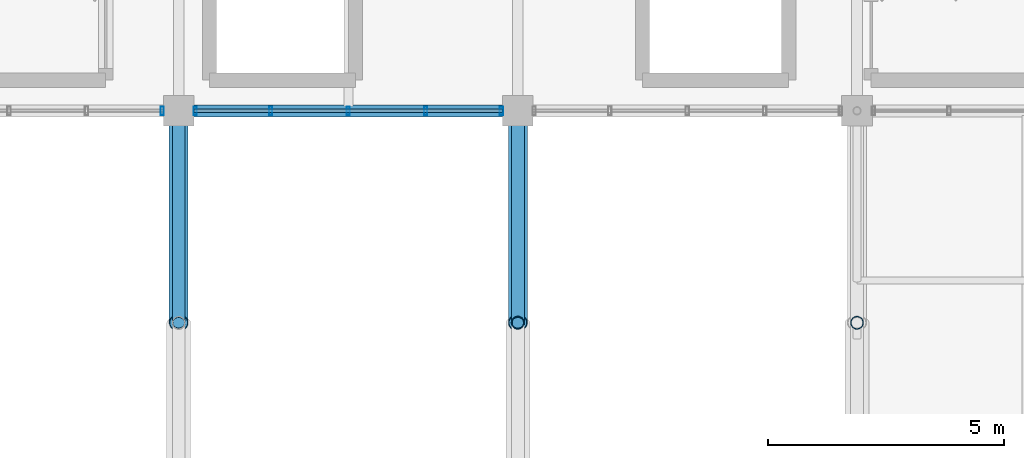
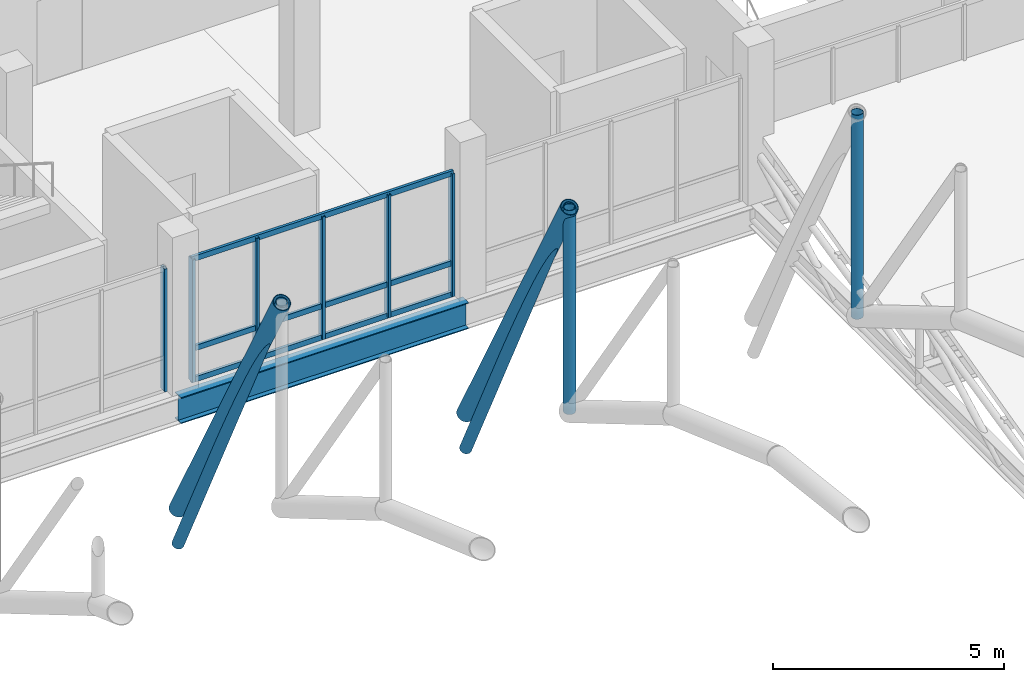
# One storey, part 45 of 144: 15 members, 1 beam, 2 elements without a shape of their own.
"""IFC4 building model written with IfcOpenShell, lengths in metres."""

from ifc_helpers import new_model, si_unit, direction, frame, origin, origin_2d, place, context, subcontext, project, spatial, hollow_rectangle, hollow_circle, i_section, extrude, material, material_profile, profile_set, type_object, element, aggregate, save


model = new_model("IFC4")

# Units and contexts
model_context = context("Model", 3, precision=1e-05, world=origin(), true_north=direction((0.0, 1.0)))
body_context = subcontext(model_context, "Body", "Model", "MODEL_VIEW")
ifc_project = project(units=[si_unit("LENGTHUNIT", "METRE"), si_unit("AREAUNIT", "SQUARE_METRE"), si_unit("VOLUMEUNIT", "CUBIC_METRE"), si_unit("PLANEANGLEUNIT", "RADIAN"), si_unit("MASSUNIT", "GRAM", prefix="KILO")], contexts=[model_context])

# Site, building, storey
site_placement = place(None, origin())
site = spatial("IfcSite", under=ifc_project, at=site_placement, CompositionType="ELEMENT")
building_placement = place(site_placement, origin())
building = spatial("IfcBuilding", under=site, at=building_placement, Name="Yarey Park Central Fire Station", CompositionType="ELEMENT")
storey_placement = place(building_placement, frame((0.0, 0.0, 10.199951171875)))
storey = spatial("IfcBuildingStorey", under=building, at=storey_placement, Name="L03", CompositionType="ELEMENT", Elevation=10.199951171875)

# Curtain wall, member
ifc_material_1 = material(Name="Anodized Aluminium Frame", Category="aluminium")
curtain_wall_type = type_object("IfcCurtainWallType", Name="ENV_CW_HQ_L03", PredefinedType="NOTDEFINED", material=ifc_material_1)
curtain_wall_1_placement = place(storey_placement, origin())
curtain_wall_1 = element("IfcCurtainWall", 1, at=curtain_wall_1_placement, inside=storey, type_object=curtain_wall_type, Name="CW_L03_V4_S_1", PredefinedType="NOTDEFINED")
ifc_material_profile_1 = material_profile(ifc_material_1, hollow_rectangle(XDim=0.070068359375, YDim=0.179931640625, WallThickness=0.00390625, at=origin_2d()), Name="ALU 180x70x4")
ifc_profile_set_1 = profile_set([ifc_material_profile_1], Name="Anodized Aluminium Frame")
member_type_1 = type_object("IfcMemberType", Name="ENV_CW_MULLION", PredefinedType="MULLION", material=ifc_profile_set_1)
member_1_placement = place(storey_placement, frame((122.050048828125, 93.60009765625, 0.0), z_axis=(0.0, 0.0, 1.0), x_axis=(1.0, 0.0, 0.0)))
member_1 = element("IfcMember", 2, at=member_1_placement, type_object=member_type_1, Name="CW_L03_V4_S_1_MUL5", PredefinedType="MULLION", context=body_context, shape_type="SweptSolid", body=[
    extrude(hollow_rectangle(XDim=0.070068359375, YDim=0.179931640625, WallThickness=0.00390625, at=origin_2d()), origin(), (0.0, 0.0, 1.0), 3.25),
])
aggregate(curtain_wall_1, [member_1])

# Curtain wall, members
curtain_wall_2_placement = place(storey_placement, origin())
curtain_wall_2 = element("IfcCurtainWall", 3, at=curtain_wall_2_placement, inside=storey, type_object=curtain_wall_type, Name="CW_L03_V4_S_2", PredefinedType="NOTDEFINED")
member_2_placement = place(storey_placement, frame((122.75, 93.60009765625, 0.0), z_axis=(0.0, 0.0, 1.0), x_axis=(1.0, 0.0, 0.0)))
member_2 = element("IfcMember", 4, at=member_2_placement, type_object=member_type_1, Name="CW_L03_V4_S_2_MUL1", PredefinedType="MULLION", context=body_context, shape_type="SweptSolid", body=[
    extrude(hollow_rectangle(XDim=0.070068359375, YDim=0.179931640625, WallThickness=0.00390625, at=origin_2d()), origin(), (0.0, 0.0, 1.0), 3.25),
])
member_3_placement = place(storey_placement, frame((124.35498046875, 93.60009765625, 0.0), z_axis=(0.0, 0.0, 1.0), x_axis=(1.0, 0.0, 0.0)))
member_3 = element("IfcMember", 5, at=member_3_placement, type_object=member_type_1, Name="CW_L03_V4_S_2_MUL2", PredefinedType="MULLION", context=body_context, shape_type="SweptSolid", body=[
    extrude(hollow_rectangle(XDim=0.070068359375, YDim=0.179931640625, WallThickness=0.00390625, at=origin_2d()), origin(), (0.0, 0.0, 1.0), 3.25),
])
member_4_placement = place(storey_placement, frame((126.0, 93.60009765625, 0.0), z_axis=(0.0, 0.0, 1.0), x_axis=(1.0, 0.0, 0.0)))
member_4 = element("IfcMember", 6, at=member_4_placement, type_object=member_type_1, Name="CW_L03_V4_S_2_MUL3", PredefinedType="MULLION", context=body_context, shape_type="SweptSolid", body=[
    extrude(hollow_rectangle(XDim=0.070068359375, YDim=0.179931640625, WallThickness=0.00390625, at=origin_2d()), origin(), (0.0, 0.0, 1.0), 3.25),
])
member_5_placement = place(storey_placement, frame((127.64501953125, 93.60009765625, 0.0), z_axis=(0.0, 0.0, 1.0), x_axis=(1.0, 0.0, 0.0)))
member_5 = element("IfcMember", 7, at=member_5_placement, type_object=member_type_1, Name="CW_L03_V4_S_2_MUL4", PredefinedType="MULLION", context=body_context, shape_type="SweptSolid", body=[
    extrude(hollow_rectangle(XDim=0.070068359375, YDim=0.179931640625, WallThickness=0.00390625, at=origin_2d()), origin(), (0.0, 0.0, 1.0), 3.25),
])
member_6_placement = place(storey_placement, frame((129.25, 93.60009765625, 0.0), z_axis=(0.0, 0.0, 1.0), x_axis=(1.0, 0.0, 0.0)))
member_6 = element("IfcMember", 8, at=member_6_placement, type_object=member_type_1, Name="CW_L03_V4_S_2_MUL5", PredefinedType="MULLION", context=body_context, shape_type="SweptSolid", body=[
    extrude(hollow_rectangle(XDim=0.070068359375, YDim=0.179931640625, WallThickness=0.00390625, at=origin_2d()), origin(), (0.0, 0.0, 1.0), 3.25),
])
ifc_material_profile_2 = material_profile(ifc_material_1, hollow_rectangle(XDim=0.070068359375, YDim=0.139892578125, WallThickness=0.00390625, at=origin_2d()), Name="ALU 140x70x4")
ifc_profile_set_2 = profile_set([ifc_material_profile_2], Name="Anodized Aluminium Frame")
member_type_2 = type_object("IfcMemberType", Name="ENV_CW_TRANSOM", PredefinedType="USERDEFINED", material=ifc_profile_set_2)
member_7_placement = place(storey_placement, frame((122.72509765625, 93.60009765625, 0.025146484375), z_axis=(1.0, 0.0, 0.0), x_axis=(0.0, 1.0, 0.0)))
member_7 = element("IfcMember", 9, at=member_7_placement, type_object=member_type_2, Name="CW_L03_V4_S_2_TRN1", ObjectType="TRANSOM", PredefinedType="USERDEFINED", context=body_context, shape_type="SweptSolid", body=[
    extrude(hollow_rectangle(XDim=0.070068359375, YDim=0.139892578125, WallThickness=0.00390625, at=origin_2d()), origin(), (0.0, 0.0, 1.0), 6.5498046875),
])
member_8_placement = place(storey_placement, frame((122.72509765625, 93.60009765625, 0.85009765625), z_axis=(1.0, 0.0, 0.0), x_axis=(0.0, 1.0, 0.0)))
member_8 = element("IfcMember", 10, at=member_8_placement, type_object=member_type_2, Name="CW_L03_V4_S_2_TRN2", ObjectType="TRANSOM", PredefinedType="USERDEFINED", context=body_context, shape_type="SweptSolid", body=[
    extrude(hollow_rectangle(XDim=0.070068359375, YDim=0.139892578125, WallThickness=0.00390625, at=origin_2d()), origin(), (0.0, 0.0, 1.0), 6.5498046875),
])
member_9_placement = place(storey_placement, frame((122.72509765625, 93.60009765625, 3.22509765625), z_axis=(1.0, 0.0, 0.0), x_axis=(0.0, 1.0, 0.0)))
member_9 = element("IfcMember", 11, at=member_9_placement, type_object=member_type_2, Name="CW_L03_V4_S_2_TRN3", ObjectType="TRANSOM", PredefinedType="USERDEFINED", context=body_context, shape_type="SweptSolid", body=[
    extrude(hollow_rectangle(XDim=0.070068359375, YDim=0.139892578125, WallThickness=0.00390625, at=origin_2d()), origin(), (0.0, 0.0, 1.0), 6.5498046875),
])
aggregate(curtain_wall_2, [member_2, member_3, member_4, member_5, member_6, member_7, member_8, member_9])

# Beam
ifc_material_2 = material(Name="Steel ASTM A992 Gr. 50", Category="steel")
ifc_material_profile_3 = material_profile(ifc_material_2, i_section(OverallWidth=0.256103515625, OverallDepth=0.693115234375, WebThickness=0.014404296875, FlangeThickness=0.023681640625, at=origin_2d()), Name="W690x170")
ifc_profile_set_3 = profile_set([ifc_material_profile_3], Name="Steel ASTM A992 Gr. 50")
beam_type = type_object("IfcBeamType", Name="STR_BM_W690", PredefinedType="BEAM", material=ifc_profile_set_3)
beam_placement = place(storey_placement, frame((122.39990234375, 93.60009765625, -0.6064453125), z_axis=(1.0, 0.0, 0.0), x_axis=(0.0, 1.0, 0.0)))
element("IfcBeam", 12, at=beam_placement, inside=storey, type_object=beam_type, Name="BMX L03 Y936 X1224", PredefinedType="BEAM", context=body_context, shape_type="SweptSolid", body=[
    extrude(i_section(OverallWidth=0.256103515625, OverallDepth=0.693115234375, WebThickness=0.014404296875, FlangeThickness=0.023681640625, at=origin_2d()), origin(), (0.0, 0.0, 1.0), 7.2001953125),
])

# Members
ifc_material_3 = material(Name="Steel ASTM A500 Gr. C", Category="steel")
ifc_material_profile_4 = material_profile(ifc_material_3, hollow_circle(Radius=0.203125, WallThickness=0.01611328125, at=origin_2d()), Name="CHS 406.4x16")
ifc_profile_set_4 = profile_set([ifc_material_profile_4], Name="Steel ASTM A500 Gr. C")
member_type_3 = type_object("IfcMemberType", Name="STR_CHORD_CHS406", PredefinedType="CHORD", material=ifc_profile_set_4)
for number, where, z_axis, x_axis, name in (
    (13, (122.39990234375, 89.10009765625, 4.91748046875), (0.0, 0.481210036658, -0.876605327738), (-1.0, 0.0, 0.0), "Arched Roof Truss ART_10 Top Chord 8"),
    (14, (129.60009765625, 89.10009765625, 4.91748046875), (0.0, 0.481210036658, -0.876605327738), (-1.0, 0.0, 0.0), "Arched Roof Truss ART_11 Top Chord 8"),
):
    element("IfcMember", number, at=place(storey_placement, frame(where, z_axis=z_axis, x_axis=x_axis)), inside=storey, type_object=member_type_3, Name=name, PredefinedType="CHORD", context=body_context, shape_type="SweptSolid", body=[
        extrude(hollow_circle(Radius=0.203125, WallThickness=0.01611328125, at=origin_2d()), origin(), (0.0, 0.0, 1.0), 9.351318359375),
    ])
ifc_material_profile_5 = material_profile(ifc_material_3, hollow_circle(Radius=0.136474609375, WallThickness=0.012451171875, at=origin_2d()), Name="CHS 273x12.5")
ifc_profile_set_5 = profile_set([ifc_material_profile_5], Name="Steel ASTM A500 Gr. C")
member_type_4 = type_object("IfcMemberType", Name="STR_WEB_CHS273", PredefinedType="BRACE", material=ifc_profile_set_5)
for number, where, z_axis, x_axis, name in (
    (15, (122.39990234375, 89.10009765625, 4.91748046875), (0.0, 0.442587736107, -0.89672520643), (-1.0, 0.0, 0.0), "Arched Roof Truss ART_10 Diagonal 8"),
    (16, (129.60009765625, 89.10009765625, 4.91748046875), (0.0, 0.442587736107, -0.89672520643), (-1.0, 0.0, 0.0), "Arched Roof Truss ART_11 Diagonal 8"),
):
    element("IfcMember", number, at=place(storey_placement, frame(where, z_axis=z_axis, x_axis=x_axis)), inside=storey, type_object=member_type_4, Name=name, PredefinedType="BRACE", context=body_context, shape_type="SweptSolid", body=[
        extrude(hollow_circle(Radius=0.136474609375, WallThickness=0.012451171875, at=origin_2d()), origin(), (0.0, 0.0, 1.0), 10.16748046875),
    ])
for number, where, z_axis, x_axis, name in (
    (17, (129.60009765625, 89.10009765625, -0.481201171875), (0.0, 0.0, 1.0), (1.0, 0.0, 0.0), "Arched Roof Truss ART_11 Vertical 8"),
    (18, (136.800048828125, 89.10009765625, -0.481201171875), (0.0, 0.0, 1.0), (1.0, 0.0, 0.0), "Arched Roof Truss ART_12 Vertical 8"),
):
    element("IfcMember", number, at=place(storey_placement, frame(where, z_axis=z_axis, x_axis=x_axis)), inside=storey, type_object=member_type_4, Name=name, PredefinedType="BRACE", context=body_context, shape_type="SweptSolid", body=[
        extrude(hollow_circle(Radius=0.136474609375, WallThickness=0.012451171875, at=origin_2d()), origin(), (0.0, 0.0, 1.0), 5.398681640625),
    ])

save(model, "model.ifc")
